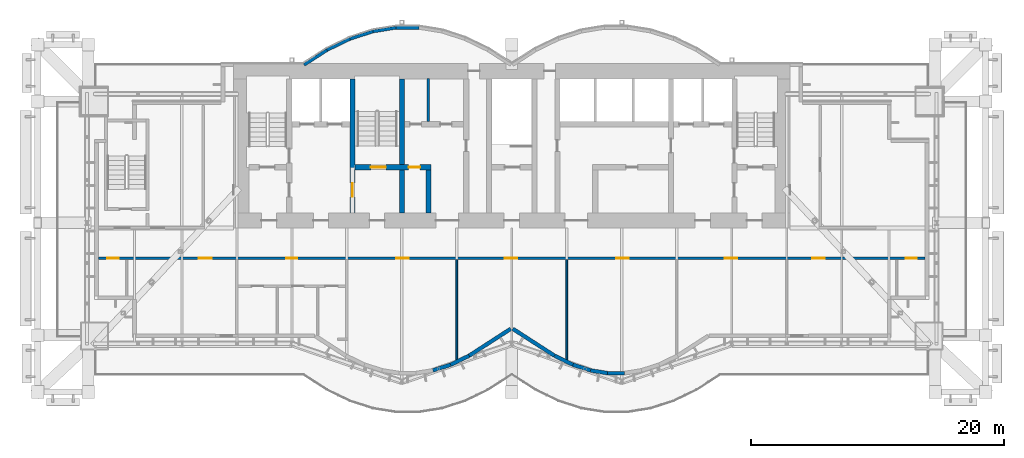
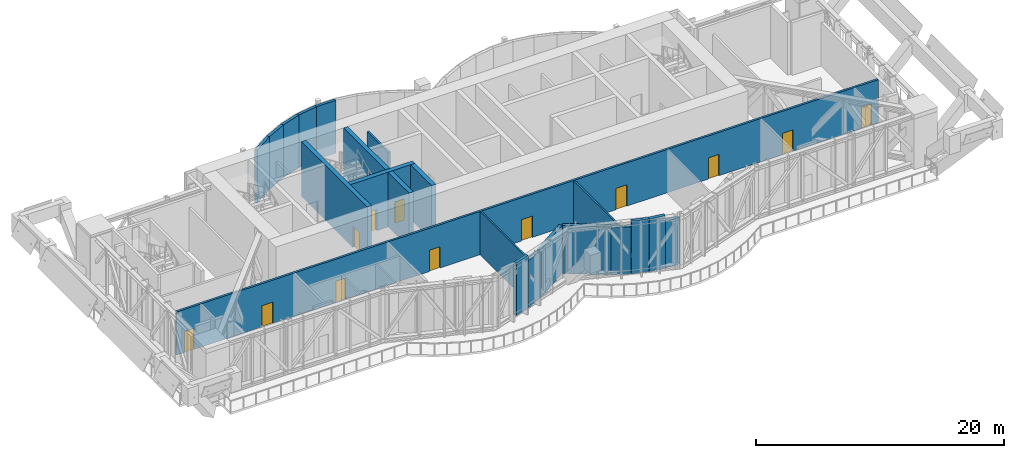
# One storey, part 14 of 20: 21 walls, 12 doors, 12 openings.
"""IFC4 building model written with IfcOpenShell, lengths in metres."""

from ifc_helpers import new_model, si_unit, direction, frame, frame_2d, origin, place, context, subcontext, project, spatial, rectangle, extrude, material, layer, layer_set, layer_usage, type_object, element, fill, save


model = new_model("IFC4")

# Units and contexts
model_context = context("Model", 3, precision=1e-05, world=origin(), true_north=direction((0.0, 1.0)))
body_context = subcontext(model_context, "Body", "Model", "MODEL_VIEW")
ifc_project = project(units=[si_unit("LENGTHUNIT", "METRE"), si_unit("AREAUNIT", "SQUARE_METRE"), si_unit("VOLUMEUNIT", "CUBIC_METRE"), si_unit("PLANEANGLEUNIT", "RADIAN"), si_unit("MASSUNIT", "GRAM", prefix="KILO")], contexts=[model_context])

# Site, building, storey
site_placement = place(None, origin())
site = spatial("IfcSite", under=ifc_project, at=site_placement, CompositionType="ELEMENT")
building_placement = place(site_placement, origin())
building = spatial("IfcBuilding", under=site, at=building_placement, Name="Bicima Exchange Tower", CompositionType="ELEMENT")
storey_placement = place(building_placement, frame((0.0, 0.0, 342.5)))
storey = spatial("IfcBuildingStorey", under=building, at=storey_placement, Name="L77", CompositionType="ELEMENT", Elevation=342.5)

# Wall, openings, doors
ifc_material_1 = material(Name="Gypsum board partition")
ifc_layer_1 = layer(ifc_material_1, 0.199951171875)
ifc_layer_set_1 = layer_set([ifc_layer_1], Name="Gypsum board partition")
wall_type_1 = type_object("IfcWallType", Name="Fire-rated gypsum partition 200 EI60", PredefinedType="PARTITIONING", material=ifc_layer_set_1)
wall_1_placement = place(storey_placement, frame((-32.699951171875, -15.39990234375, 0.0), z_axis=(0.0, 0.0, 1.0), x_axis=(1.0, 0.0, 0.0)))
wall_1 = element("IfcWall", 1, at=wall_1_placement, inside=storey, type_object=wall_type_1, Name="partition wall 3", PredefinedType="PARTITIONING", context=body_context, shape_type="SweptSolid", body=[
    extrude(rectangle(XDim=65.39990234375, YDim=0.199951171875, at=frame_2d((32.699951171875, 0.0))), origin(), (0.0, 0.0, 1.0), 4.268310546875),
])
opening_1_placement = place(wall_1_placement, frame((0.699951171875, 0.0, 0.0)))
opening_1 = element("IfcOpeningElement", 2, at=opening_1_placement, cuts=wall_1, Name="Opening L77-005", PredefinedType="OPENING", context=body_context, shape_type="SweptSolid", body=[
    extrude(rectangle(XDim=0.89990234375, YDim=2.10009765625, at=frame_2d((0.449951171875, 1.050048828125))), frame((0.0, 0.11181640625, 0.0), z_axis=(0.0, -1.0, 0.0), x_axis=(1.0, 0.0, 0.0)), (0.0, 0.0, 1.0), 0.223876953125),
])
opening_2_placement = place(wall_1_placement, frame((7.949951171875, 0.0, 0.0)))
opening_2 = element("IfcOpeningElement", 3, at=opening_2_placement, cuts=wall_1, Name="Opening L77-006", PredefinedType="OPENING", context=body_context, shape_type="SweptSolid", body=[
    extrude(rectangle(XDim=1.0, YDim=2.10009765625, at=frame_2d((0.5, 1.050048828125))), frame((0.0, 0.11181640625, 0.0), z_axis=(0.0, -1.0, 0.0), x_axis=(1.0, 0.0, 0.0)), (0.0, 0.0, 1.0), 0.223876953125),
])
opening_3_placement = place(wall_1_placement, frame((14.85009765625, 0.0, 0.0)))
opening_3 = element("IfcOpeningElement", 4, at=opening_3_placement, cuts=wall_1, Name="Opening L77-007", PredefinedType="OPENING", context=body_context, shape_type="SweptSolid", body=[
    extrude(rectangle(XDim=0.89990234375, YDim=2.10009765625, at=frame_2d((0.449951171875, 1.050048828125))), frame((0.0, 0.11181640625, 0.0), z_axis=(0.0, -1.0, 0.0), x_axis=(1.0, 0.0, 0.0)), (0.0, 0.0, 1.0), 0.223876953125),
])
opening_4_placement = place(wall_1_placement, frame((23.550048828125, 0.0, 0.0)))
opening_4 = element("IfcOpeningElement", 5, at=opening_4_placement, cuts=wall_1, Name="Opening L77-011", PredefinedType="OPENING", context=body_context, shape_type="SweptSolid", body=[
    extrude(rectangle(XDim=1.0, YDim=2.10009765625, at=frame_2d((0.5, 1.050048828125))), frame((0.0, 0.11181640625, 0.0), z_axis=(0.0, -1.0, 0.0), x_axis=(1.0, 0.0, 0.0)), (0.0, 0.0, 1.0), 0.223876953125),
])
opening_5_placement = place(wall_1_placement, frame((32.14990234375, 0.0, 0.0)))
opening_5 = element("IfcOpeningElement", 6, at=opening_5_placement, cuts=wall_1, Name="Opening L77-012", PredefinedType="OPENING", context=body_context, shape_type="SweptSolid", body=[
    extrude(rectangle(XDim=1.0, YDim=2.10009765625, at=frame_2d((0.5, 1.050048828125))), frame((0.0, 0.11181640625, 0.0), z_axis=(0.0, -1.0, 0.0), x_axis=(1.0, 0.0, 0.0)), (0.0, 0.0, 1.0), 0.223876953125),
])
opening_6_placement = place(wall_1_placement, frame((40.949951171875, 0.0, 0.0)))
opening_6 = element("IfcOpeningElement", 7, at=opening_6_placement, cuts=wall_1, Name="Opening L77-013", PredefinedType="OPENING", context=body_context, shape_type="SweptSolid", body=[
    extrude(rectangle(XDim=1.0, YDim=2.10009765625, at=frame_2d((0.5, 1.050048828125))), frame((0.0, 0.11181640625, 0.0), z_axis=(0.0, -1.0, 0.0), x_axis=(1.0, 0.0, 0.0)), (0.0, 0.0, 1.0), 0.223876953125),
])
opening_7_placement = place(wall_1_placement, frame((49.550048828125, 0.0, 0.0)))
opening_7 = element("IfcOpeningElement", 8, at=opening_7_placement, cuts=wall_1, Name="Opening L77-014", PredefinedType="OPENING", context=body_context, shape_type="SweptSolid", body=[
    extrude(rectangle(XDim=1.0, YDim=2.10009765625, at=frame_2d((0.5, 1.050048828125))), frame((0.0, 0.11181640625, 0.0), z_axis=(0.0, -1.0, 0.0), x_axis=(1.0, 0.0, 0.0)), (0.0, 0.0, 1.0), 0.223876953125),
])
opening_8_placement = place(wall_1_placement, frame((56.449951171875, 0.0, 0.0)))
opening_8 = element("IfcOpeningElement", 9, at=opening_8_placement, cuts=wall_1, Name="Opening L77-015", PredefinedType="OPENING", context=body_context, shape_type="SweptSolid", body=[
    extrude(rectangle(XDim=1.0, YDim=2.10009765625, at=frame_2d((0.5, 1.050048828125))), frame((0.0, 0.11181640625, 0.0), z_axis=(0.0, -1.0, 0.0), x_axis=(1.0, 0.0, 0.0)), (0.0, 0.0, 1.0), 0.223876953125),
])
opening_9_placement = place(wall_1_placement, frame((63.85009765625, 0.0, 0.0)))
opening_9 = element("IfcOpeningElement", 10, at=opening_9_placement, cuts=wall_1, Name="Opening L77-016", PredefinedType="OPENING", context=body_context, shape_type="SweptSolid", body=[
    extrude(rectangle(XDim=0.89990234375, YDim=2.10009765625, at=frame_2d((0.449951171875, 1.050048828125))), frame((0.0, 0.11181640625, 0.0), z_axis=(0.0, -1.0, 0.0), x_axis=(1.0, 0.0, 0.0)), (0.0, 0.0, 1.0), 0.223876953125),
])
ifc_material_2 = material(Name="Steel fire door leaf", Category="steel")
door_type_1 = type_object("IfcDoorType", Name="Door 1000 swing FD30S", OperationType="SINGLE_SWING_LEFT", PredefinedType="DOOR", material=ifc_material_2)
door_1_placement = place(opening_2_placement, frame((1.0, 0.0, 0.0), z_axis=(0.0, 0.0, 1.0), x_axis=(-1.0, 0.0, 0.0)))
door_1 = element("IfcDoor", 11, at=door_1_placement, inside=storey, type_object=door_type_1, Name="Door", OperationType="SINGLE_SWING_RIGHT", OverallHeight=2.10009765625, OverallWidth=1.0, PredefinedType="DOOR", context=body_context, shape_type="SweptSolid", body=[
    extrude(rectangle(XDim=1.0, YDim=2.10009765625, at=frame_2d((0.5, 1.050048828125))), frame((0.0, 0.02490234375, 0.0), z_axis=(0.0, -1.0, 0.0), x_axis=(1.0, 0.0, 0.0)), (0.0, 0.0, 1.0), 0.050048828125),
])
fill(opening_2, door_1)
door_2_placement = place(opening_4_placement, frame((1.0, 0.0, 0.0), z_axis=(0.0, 0.0, 1.0), x_axis=(-1.0, 0.0, 0.0)))
door_2 = element("IfcDoor", 12, at=door_2_placement, inside=storey, type_object=door_type_1, Name="Door", OperationType="SINGLE_SWING_RIGHT", OverallHeight=2.10009765625, OverallWidth=1.0, PredefinedType="DOOR", context=body_context, shape_type="SweptSolid", body=[
    extrude(rectangle(XDim=1.0, YDim=2.10009765625, at=frame_2d((0.5, 1.050048828125))), frame((0.0, 0.02490234375, 0.0), z_axis=(0.0, -1.0, 0.0), x_axis=(1.0, 0.0, 0.0)), (0.0, 0.0, 1.0), 0.050048828125),
])
fill(opening_4, door_2)
door_3_placement = place(opening_5_placement, frame((1.0, 0.0, 0.0), z_axis=(0.0, 0.0, 1.0), x_axis=(-1.0, 0.0, 0.0)))
door_3 = element("IfcDoor", 13, at=door_3_placement, inside=storey, type_object=door_type_1, Name="Door", OperationType="SINGLE_SWING_RIGHT", OverallHeight=2.10009765625, OverallWidth=1.0, PredefinedType="DOOR", context=body_context, shape_type="SweptSolid", body=[
    extrude(rectangle(XDim=1.0, YDim=2.10009765625, at=frame_2d((0.5, 1.050048828125))), frame((0.0, 0.02490234375, 0.0), z_axis=(0.0, -1.0, 0.0), x_axis=(1.0, 0.0, 0.0)), (0.0, 0.0, 1.0), 0.050048828125),
])
fill(opening_5, door_3)
door_4_placement = place(opening_6_placement, frame((1.0, 0.0, 0.0), z_axis=(0.0, 0.0, 1.0), x_axis=(-1.0, 0.0, 0.0)))
door_4 = element("IfcDoor", 14, at=door_4_placement, inside=storey, type_object=door_type_1, Name="Door", OperationType="SINGLE_SWING_LEFT", OverallHeight=2.10009765625, OverallWidth=1.0, PredefinedType="DOOR", context=body_context, shape_type="SweptSolid", body=[
    extrude(rectangle(XDim=1.0, YDim=2.10009765625, at=frame_2d((0.5, 1.050048828125))), frame((0.0, 0.02490234375, 0.0), z_axis=(0.0, -1.0, 0.0), x_axis=(1.0, 0.0, 0.0)), (0.0, 0.0, 1.0), 0.050048828125),
])
fill(opening_6, door_4)
door_5_placement = place(opening_7_placement, frame((1.0, 0.0, 0.0), z_axis=(0.0, 0.0, 1.0), x_axis=(-1.0, 0.0, 0.0)))
door_5 = element("IfcDoor", 15, at=door_5_placement, inside=storey, type_object=door_type_1, Name="Door", OperationType="SINGLE_SWING_RIGHT", OverallHeight=2.10009765625, OverallWidth=1.0, PredefinedType="DOOR", context=body_context, shape_type="SweptSolid", body=[
    extrude(rectangle(XDim=1.0, YDim=2.10009765625, at=frame_2d((0.5, 1.050048828125))), frame((0.0, 0.02490234375, 0.0), z_axis=(0.0, -1.0, 0.0), x_axis=(1.0, 0.0, 0.0)), (0.0, 0.0, 1.0), 0.050048828125),
])
fill(opening_7, door_5)
door_6_placement = place(opening_8_placement, frame((1.0, 0.0, 0.0), z_axis=(0.0, 0.0, 1.0), x_axis=(-1.0, 0.0, 0.0)))
door_6 = element("IfcDoor", 16, at=door_6_placement, inside=storey, type_object=door_type_1, Name="Door", OperationType="SINGLE_SWING_RIGHT", OverallHeight=2.10009765625, OverallWidth=1.0, PredefinedType="DOOR", context=body_context, shape_type="SweptSolid", body=[
    extrude(rectangle(XDim=1.0, YDim=2.10009765625, at=frame_2d((0.5, 1.050048828125))), frame((0.0, 0.02490234375, 0.0), z_axis=(0.0, -1.0, 0.0), x_axis=(1.0, 0.0, 0.0)), (0.0, 0.0, 1.0), 0.050048828125),
])
fill(opening_8, door_6)
door_type_2 = type_object("IfcDoorType", Name="Door 900 swing FD30S", OperationType="SINGLE_SWING_LEFT", PredefinedType="DOOR", material=ifc_material_2)
door_7_placement = place(opening_1_placement, frame((0.89990234375, 0.0, 0.0), z_axis=(0.0, 0.0, 1.0), x_axis=(-1.0, 0.0, 0.0)))
door_7 = element("IfcDoor", 17, at=door_7_placement, inside=storey, type_object=door_type_2, Name="Door", OperationType="SINGLE_SWING_RIGHT", OverallHeight=2.10009765625, OverallWidth=0.89990234375, PredefinedType="DOOR", context=body_context, shape_type="SweptSolid", body=[
    extrude(rectangle(XDim=0.89990234375, YDim=2.10009765625, at=frame_2d((0.449951171875, 1.050048828125))), frame((0.0, 0.02490234375, 0.0), z_axis=(0.0, -1.0, 0.0), x_axis=(1.0, 0.0, 0.0)), (0.0, 0.0, 1.0), 0.050048828125),
])
fill(opening_1, door_7)
door_8_placement = place(opening_3_placement, frame((0.89990234375, 0.0, 0.0), z_axis=(0.0, 0.0, 1.0), x_axis=(-1.0, 0.0, 0.0)))
door_8 = element("IfcDoor", 18, at=door_8_placement, inside=storey, type_object=door_type_2, Name="Door", OperationType="SINGLE_SWING_LEFT", OverallHeight=2.10009765625, OverallWidth=0.89990234375, PredefinedType="DOOR", context=body_context, shape_type="SweptSolid", body=[
    extrude(rectangle(XDim=0.89990234375, YDim=2.10009765625, at=frame_2d((0.449951171875, 1.050048828125))), frame((0.0, 0.02490234375, 0.0), z_axis=(0.0, -1.0, 0.0), x_axis=(1.0, 0.0, 0.0)), (0.0, 0.0, 1.0), 0.050048828125),
])
fill(opening_3, door_8)
door_9_placement = place(opening_9_placement, frame((0.89990234375, 0.0, 0.0), z_axis=(0.0, 0.0, 1.0), x_axis=(-1.0, 0.0, 0.0)))
door_9 = element("IfcDoor", 19, at=door_9_placement, inside=storey, type_object=door_type_2, Name="Door", OperationType="SINGLE_SWING_LEFT", OverallHeight=2.10009765625, OverallWidth=0.89990234375, PredefinedType="DOOR", context=body_context, shape_type="SweptSolid", body=[
    extrude(rectangle(XDim=0.89990234375, YDim=2.10009765625, at=frame_2d((0.449951171875, 1.050048828125))), frame((0.0, 0.02490234375, 0.0), z_axis=(0.0, -1.0, 0.0), x_axis=(1.0, 0.0, 0.0)), (0.0, 0.0, 1.0), 0.050048828125),
])
fill(opening_9, door_9)

# Walls
wall_2_placement = place(storey_placement, frame((-6.60009765625, -4.60009765625, 0.0), z_axis=(0.0, 0.0, 1.0), x_axis=(0.0, 1.0, 0.0)))
element("IfcWall", 20, at=wall_2_placement, inside=storey, type_object=wall_type_1, Name="partition wall 14", PredefinedType="PARTITIONING", context=body_context, shape_type="SweptSolid", body=[
    extrude(rectangle(XDim=3.400146484375, YDim=0.199951171875, at=frame_2d((1.7001953125, 0.0))), origin(), (0.0, 0.0, 1.0), 4.268310546875),
])
ifc_layer_2 = layer(ifc_material_1, 0.14990234375)
ifc_layer_set_2 = layer_set([ifc_layer_2], Name="Gypsum board partition")
wall_type_2 = type_object("IfcWallType", Name="Gypsum partition 150", PredefinedType="PARTITIONING", material=ifc_layer_set_2)
for number, where, z_axis, x_axis, name in (
    (21, (-4.35009765625, -23.409912109375, 0.0), (0.0, 0.0, 1.0), (0.0, 1.0, 0.0), "partition wall 16"),
    (22, (4.35009765625, -23.409912109375, 0.0), (0.0, 0.0, 1.0), (0.0, 1.0, 0.0), "partition wall 17"),
):
    element("IfcWall", number, at=place(storey_placement, frame(where, z_axis=z_axis, x_axis=x_axis)), inside=storey, type_object=wall_type_2, Name=name, PredefinedType="PARTITIONING", context=body_context, shape_type="SweptSolid", body=[
        extrude(rectangle(XDim=7.909912109375, YDim=0.14990234375, at=frame_2d((3.955078125, 0.0))), origin(), (0.0, 0.0, 1.0), 4.268310546875),
    ])
ifc_material_3 = material(Name="Concrete C40/50", Category="concrete")
ifc_layer_3 = layer(ifc_material_3, 0.39990234375)
ifc_layer_set_3 = layer_set([ifc_layer_3], Name="Concrete C40/50")
wall_type_3 = type_object("IfcWallType", Name="RC core wall 400 C40/50", PredefinedType="SHEAR", material=ifc_layer_set_3)
wall_3_placement = place(storey_placement, frame((-6.60009765625, -11.800048828125, 0.0), z_axis=(0.0, 0.0, 1.0), x_axis=(0.0, 1.0, 0.0)))
element("IfcWall", 23, at=wall_3_placement, inside=storey, type_object=wall_type_3, Name="shear wall 13", PredefinedType="SHEAR", context=body_context, shape_type="SweptSolid", body=[
    extrude(rectangle(XDim=3.400146484375, YDim=0.39990234375, at=frame_2d((1.7001953125, 0.0))), origin(), (0.0, 0.0, 1.0), 5.39990234375),
])

# Wall, openings, doors
ifc_material_4 = material(Name="Concrete C50/60", Category="concrete")
ifc_layer_4 = layer(ifc_material_4, 0.39990234375)
ifc_layer_set_4 = layer_set([ifc_layer_4], Name="Concrete C50/60")
wall_type_4 = type_object("IfcWallType", Name="RC core wall 400 C50/60", PredefinedType="SHEAR", material=ifc_layer_set_4)
wall_4_placement = place(storey_placement, frame((-12.39990234375, -8.199951171875, 0.0), z_axis=(0.0, 0.0, 1.0), x_axis=(1.0, 0.0, 0.0)))
wall_4 = element("IfcWall", 24, at=wall_4_placement, inside=storey, type_object=wall_type_4, Name="stair wall 2", PredefinedType="SHEAR", context=body_context, shape_type="SweptSolid", body=[
    extrude(rectangle(XDim=6.0, YDim=0.39990234375, at=frame_2d((3.0, 0.0))), origin(), (0.0, 0.0, 1.0), 5.39990234375),
])
opening_10_placement = place(wall_4_placement, frame((1.25, 0.0, 0.0)))
opening_10 = element("IfcOpeningElement", 25, at=opening_10_placement, cuts=wall_4, Name="Opening L77-C06", PredefinedType="OPENING", context=body_context, shape_type="SweptSolid", body=[
    extrude(rectangle(XDim=1.199951171875, YDim=2.10009765625, at=frame_2d((0.60009765625, 1.050048828125))), frame((0.0, 0.2119140625, 0.0), z_axis=(0.0, -1.0, 0.0), x_axis=(1.0, 0.0, 0.0)), (0.0, 0.0, 1.0), 0.423828125),
])
opening_11_placement = place(wall_4_placement, frame((4.25, 0.0, 0.0)))
opening_11 = element("IfcOpeningElement", 26, at=opening_11_placement, cuts=wall_4, Name="Opening L77-C15", PredefinedType="OPENING", context=body_context, shape_type="SweptSolid", body=[
    extrude(rectangle(XDim=0.89990234375, YDim=2.10009765625, at=frame_2d((0.449951171875, 1.050048828125))), frame((0.0, 0.2119140625, 0.0), z_axis=(0.0, -1.0, 0.0), x_axis=(1.0, 0.0, 0.0)), (0.0, 0.0, 1.0), 0.423828125),
])
door_type_3 = type_object("IfcDoorType", Name="Door 1200 swing FD60S", OperationType="SINGLE_SWING_LEFT", PredefinedType="DOOR", material=ifc_material_2)
door_10_placement = place(opening_10_placement, origin())
door_10 = element("IfcDoor", 27, at=door_10_placement, inside=storey, type_object=door_type_3, Name="Core door", OperationType="SINGLE_SWING_RIGHT", OverallHeight=2.10009765625, OverallWidth=1.199951171875, PredefinedType="DOOR", context=body_context, shape_type="SweptSolid", body=[
    extrude(rectangle(XDim=1.199951171875, YDim=2.10009765625, at=frame_2d((0.60009765625, 1.050048828125))), frame((0.0, 0.02490234375, 0.0), z_axis=(0.0, -1.0, 0.0), x_axis=(1.0, 0.0, 0.0)), (0.0, 0.0, 1.0), 0.050048828125),
])
fill(opening_10, door_10)
door_11_placement = place(opening_11_placement, frame((0.89990234375, 0.0, 0.0), z_axis=(0.0, 0.0, 1.0), x_axis=(-1.0, 0.0, 0.0)))
door_11 = element("IfcDoor", 28, at=door_11_placement, inside=storey, type_object=door_type_2, Name="Core door", OperationType="SINGLE_SWING_RIGHT", OverallHeight=2.10009765625, OverallWidth=0.89990234375, PredefinedType="DOOR", context=body_context, shape_type="SweptSolid", body=[
    extrude(rectangle(XDim=0.89990234375, YDim=2.10009765625, at=frame_2d((0.449951171875, 1.050048828125))), frame((0.0, 0.02490234375, 0.0), z_axis=(0.0, -1.0, 0.0), x_axis=(1.0, 0.0, 0.0)), (0.0, 0.0, 1.0), 0.050048828125),
])
fill(opening_11, door_11)

# Wall, opening, door
wall_5_placement = place(storey_placement, frame((-12.60009765625, -11.800048828125, 0.0), z_axis=(0.0, 0.0, 1.0), x_axis=(0.0, 1.0, 0.0)))
wall_5 = element("IfcWall", 29, at=wall_5_placement, inside=storey, type_object=wall_type_4, Name="stair wall 11", PredefinedType="SHEAR", context=body_context, shape_type="SweptSolid", body=[
    extrude(rectangle(XDim=10.60009765625, YDim=0.39990234375, at=frame_2d((5.300048828125, 0.0))), origin(), (0.0, 0.0, 1.0), 5.39990234375),
])
opening_12_placement = place(wall_5_placement, frame((1.25, 0.0, 0.0)))
opening_12 = element("IfcOpeningElement", 30, at=opening_12_placement, cuts=wall_5, Name="Opening L77-C07", PredefinedType="OPENING", context=body_context, shape_type="SweptSolid", body=[
    extrude(rectangle(XDim=1.10009765625, YDim=2.10009765625, at=frame_2d((0.550048828125, 1.050048828125))), frame((0.0, 0.2119140625, 0.0), z_axis=(0.0, -1.0, 0.0), x_axis=(1.0, 0.0, 0.0)), (0.0, 0.0, 1.0), 0.423828125),
])
door_type_4 = type_object("IfcDoorType", Name="Door 1100 swing FD60S", OperationType="SINGLE_SWING_LEFT", PredefinedType="DOOR", material=ifc_material_2)
door_12_placement = place(opening_12_placement, origin())
door_12 = element("IfcDoor", 31, at=door_12_placement, inside=storey, type_object=door_type_4, Name="Core door", OperationType="SINGLE_SWING_LEFT", OverallHeight=2.10009765625, OverallWidth=1.10009765625, PredefinedType="DOOR", context=body_context, shape_type="SweptSolid", body=[
    extrude(rectangle(XDim=1.10009765625, YDim=2.10009765625, at=frame_2d((0.550048828125, 1.050048828125))), frame((0.0, 0.02490234375, 0.0), z_axis=(0.0, -1.0, 0.0), x_axis=(1.0, 0.0, 0.0)), (0.0, 0.0, 1.0), 0.050048828125),
])
fill(opening_12, door_12)

# Walls
wall_6_placement = place(storey_placement, frame((-8.699951171875, -11.800048828125, 0.0), z_axis=(0.0, 0.0, 1.0), x_axis=(0.0, 1.0, 0.0)))
element("IfcWall", 32, at=wall_6_placement, inside=storey, type_object=wall_type_4, Name="stair wall 12", PredefinedType="SHEAR", context=body_context, shape_type="SweptSolid", body=[
    extrude(rectangle(XDim=10.60009765625, YDim=0.39990234375, at=frame_2d((5.300048828125, 0.0))), origin(), (0.0, 0.0, 1.0), 5.39990234375),
])
ifc_layer_5 = layer(ifc_material_3, 0.25)
ifc_layer_set_5 = layer_set([ifc_layer_5], Name="Concrete C40/50")
ifc_layer_usage_1 = layer_usage(ifc_layer_set_5, "AXIS2", "POSITIVE", -0.125)
wall_type_5 = type_object("IfcWallType", Name="Rear backup wall 250", PredefinedType="STANDARD", material=ifc_layer_set_5)
wall_7_placement = place(storey_placement, frame((-7.333251953125, 2.837890625, 0.0), z_axis=(0.0, 0.0, 1.0), x_axis=(-1.0, 0.0, 0.0)))
element("IfcWall", 33, at=wall_7_placement, inside=storey, type_object=wall_type_5, material=ifc_layer_usage_1, Name="Rear backup wall L77 20", PredefinedType="STANDARD", context=body_context, shape_type="SweptSolid", body=[
    extrude(rectangle(XDim=1.83349609375, YDim=0.25, at=frame_2d((0.916748046875, 0.0))), origin(), (0.0, 0.0, 1.0), 5.199951171875),
])
wall_8_placement = place(storey_placement, frame((-9.146728515625, 2.839599609375, 0.0), z_axis=(0.0, 0.0, 1.0), x_axis=(-0.987181718931, -0.159600293885, 0.0)))
element("IfcWall", 34, at=wall_8_placement, inside=storey, type_object=wall_type_5, material=ifc_layer_usage_1, Name="Rear backup wall L77 21", PredefinedType="STANDARD", context=body_context, shape_type="SweptSolid", body=[
    extrude(rectangle(XDim=1.857177734375, YDim=0.25, at=frame_2d((0.9287109375, 0.0))), origin(), (0.0, 0.0, 1.0), 5.199951171875),
])
wall_9_placement = place(storey_placement, frame((-10.961669921875, 2.5478515625, 0.0), z_axis=(0.0, 0.0, 1.0), x_axis=(-0.951495806175, -0.307661714928, 0.0)))
element("IfcWall", 35, at=wall_9_placement, inside=storey, type_object=wall_type_5, material=ifc_layer_usage_1, Name="Rear backup wall L77 22", PredefinedType="STANDARD", context=body_context, shape_type="SweptSolid", body=[
    extrude(rectangle(XDim=1.9267578125, YDim=0.25, at=frame_2d((0.96337890625, 0.0))), origin(), (0.0, 0.0, 1.0), 5.199951171875),
])
wall_10_placement = place(storey_placement, frame((-12.77880859375, 1.961669921875, 0.0), z_axis=(0.0, 0.0, 1.0), x_axis=(-0.89982408427, -0.436252928206, 0.0)))
element("IfcWall", 36, at=wall_10_placement, inside=storey, type_object=wall_type_5, material=ifc_layer_usage_1, Name="Rear backup wall L77 23", PredefinedType="STANDARD", context=body_context, shape_type="SweptSolid", body=[
    extrude(rectangle(XDim=2.03759765625, YDim=0.25, at=frame_2d((1.018798828125, 0.0))), origin(), (0.0, 0.0, 1.0), 5.199951171875),
])
wall_11_placement = place(storey_placement, frame((-14.598876953125, 1.080078125, 0.0), z_axis=(0.0, 0.0, 1.0), x_axis=(-0.83981312244, -0.542875602121, 0.0)))
element("IfcWall", 37, at=wall_11_placement, inside=storey, type_object=wall_type_5, material=ifc_layer_usage_1, Name="Rear backup wall L77 24", PredefinedType="STANDARD", context=body_context, shape_type="SweptSolid", body=[
    extrude(rectangle(XDim=2.182861328125, YDim=0.25, at=frame_2d((1.09130859375, 0.0))), origin(), (0.0, 0.0, 1.0), 5.199951171875),
])
ifc_layer_6 = layer(ifc_material_3, 0.3)
ifc_layer_set_6 = layer_set([ifc_layer_6], Name="Concrete C40/50")
ifc_layer_usage_2 = layer_usage(ifc_layer_set_6, "AXIS2", "POSITIVE", -0.15)
wall_type_6 = type_object("IfcWallType", Name="Refuge band wall 300", PredefinedType="STANDARD", material=ifc_layer_set_6)
wall_12_placement = place(storey_placement, frame((-6.239990234375, -24.271484375, 0.0), z_axis=(0.0, 0.0, 1.0), x_axis=(0.951539081691, 0.307527845919, 0.0)))
element("IfcWall", 38, at=wall_12_placement, inside=storey, type_object=wall_type_6, material=ifc_layer_usage_2, Name="Refuge band wall L77", PredefinedType="STANDARD", context=body_context, shape_type="SweptSolid", body=[
    extrude(rectangle(XDim=1.467041015625, YDim=0.300048828125, at=frame_2d((0.7333984375, 0.0))), origin(), (0.0, 0.0, 1.0), 5.199951171875),
])
wall_13_placement = place(storey_placement, frame((-4.843994140625, -23.8203125, 0.0), z_axis=(0.0, 0.0, 1.0), x_axis=(0.899798026589, 0.436306671214, 0.0)))
element("IfcWall", 39, at=wall_13_placement, inside=storey, type_object=wall_type_6, material=ifc_layer_usage_2, Name="Refuge band wall L77", PredefinedType="STANDARD", context=body_context, shape_type="SweptSolid", body=[
    extrude(rectangle(XDim=1.62548828125, YDim=0.300048828125, at=frame_2d((0.812744140625, 0.0))), origin(), (0.0, 0.0, 1.0), 4.671630859375),
])
for number, where, z_axis, x_axis, name in (
    (40, (-3.38134765625, -23.111083984375, 0.0), (0.0, 0.0, 1.0), (0.839805110115, 0.542887996759, 0.0), "Refuge band wall L77"),
    (41, (0.081298828125, -20.977783203125, 0.0), (0.0, 0.0, 1.0), (0.839805110115, -0.542887996759, 0.0), "Refuge band wall L77"),
):
    element("IfcWall", number, at=place(storey_placement, frame(where, z_axis=z_axis, x_axis=x_axis)), inside=storey, type_object=wall_type_6, material=ifc_layer_usage_2, Name=name, PredefinedType="STANDARD", context=body_context, shape_type="SweptSolid", body=[
        extrude(rectangle(XDim=3.929443359375, YDim=0.300048828125, at=frame_2d((1.96484375, 0.0))), origin(), (0.0, 0.0, 1.0), 4.745361328125),
    ])
wall_14_placement = place(storey_placement, frame((3.38134765625, -23.111083984375, 0.0), z_axis=(0.0, 0.0, 1.0), x_axis=(0.899798026589, -0.436306671214, 0.0)))
element("IfcWall", 42, at=wall_14_placement, inside=storey, type_object=wall_type_6, material=ifc_layer_usage_2, Name="Refuge band wall L77", PredefinedType="STANDARD", context=body_context, shape_type="SweptSolid", body=[
    extrude(rectangle(XDim=1.62548828125, YDim=0.300048828125, at=frame_2d((0.812744140625, 0.0))), origin(), (0.0, 0.0, 1.0), 4.671630859375),
])
wall_15_placement = place(storey_placement, frame((4.843994140625, -23.8203125, 0.0), z_axis=(0.0, 0.0, 1.0), x_axis=(0.951539081691, -0.307527845919, 0.0)))
element("IfcWall", 43, at=wall_15_placement, inside=storey, type_object=wall_type_6, material=ifc_layer_usage_2, Name="Refuge band wall L77", PredefinedType="STANDARD", context=body_context, shape_type="SweptSolid", body=[
    extrude(rectangle(XDim=1.467041015625, YDim=0.300048828125, at=frame_2d((0.7333984375, 0.0))), origin(), (0.0, 0.0, 1.0), 5.199951171875),
])
wall_16_placement = place(storey_placement, frame((6.239990234375, -24.271484375, 0.0), z_axis=(0.0, 0.0, 1.0), x_axis=(0.987194777017, -0.15951950423, 0.0)))
element("IfcWall", 44, at=wall_16_placement, inside=storey, type_object=wall_type_6, material=ifc_layer_usage_2, Name="Refuge band wall L77", PredefinedType="STANDARD", context=body_context, shape_type="SweptSolid", body=[
    extrude(rectangle(XDim=1.36376953125, YDim=0.300048828125, at=frame_2d((0.681884765625, 0.0))), origin(), (0.0, 0.0, 1.0), 5.199951171875),
])
wall_17_placement = place(storey_placement, frame((7.586181640625, -24.489013671875, 0.0), z_axis=(0.0, 0.0, 1.0), x_axis=(1.0, 0.0, 0.0)))
element("IfcWall", 45, at=wall_17_placement, inside=storey, type_object=wall_type_6, material=ifc_layer_usage_2, Name="Refuge band wall L77", PredefinedType="STANDARD", context=body_context, shape_type="SweptSolid", body=[
    extrude(rectangle(XDim=1.32763671875, YDim=0.300048828125, at=frame_2d((0.663818359375, 0.0))), origin(), (0.0, 0.0, 1.0), 4.6005859375),
])

save(model, "model.ifc")
